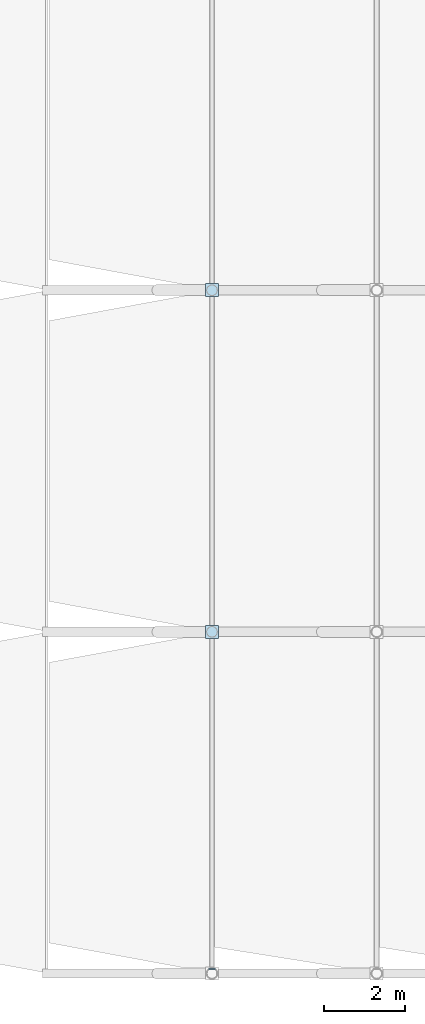
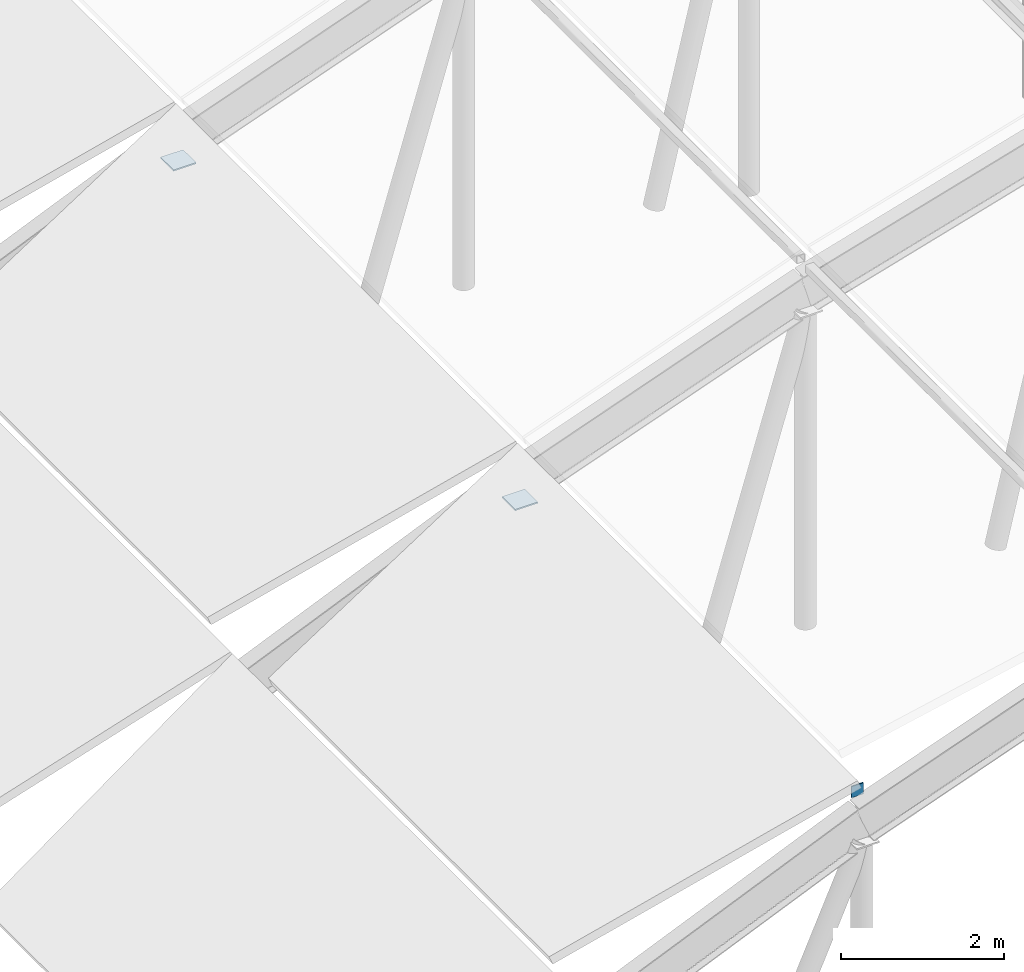
# One storey, part 14 of 22: 3 plates.
"""IFC4 building model written with IfcOpenShell, lengths in metres."""

from ifc_helpers import new_model, si_unit, direction, frame, origin, origin_2d, place, context, subcontext, project, spatial, rectangle, extrude, material, layer, layer_set, type_object, element, save


model = new_model("IFC4")

# Units and contexts
model_context = context("Model", 3, precision=1e-05, world=origin(), true_north=direction((0.0, 1.0)))
body_context = subcontext(model_context, "Body", "Model", "MODEL_VIEW")
ifc_project = project(units=[si_unit("LENGTHUNIT", "METRE"), si_unit("AREAUNIT", "SQUARE_METRE"), si_unit("VOLUMEUNIT", "CUBIC_METRE"), si_unit("PLANEANGLEUNIT", "RADIAN"), si_unit("MASSUNIT", "GRAM", prefix="KILO")], contexts=[model_context])

# Site, building, storey
site_placement = place(None, origin())
site = spatial("IfcSite", under=ifc_project, at=site_placement, CompositionType="ELEMENT")
building_placement = place(site_placement, origin())
building = spatial("IfcBuilding", under=site, at=building_placement, Name="Vireocrest Preparatory School", CompositionType="ELEMENT")
storey_placement = place(building_placement, frame((0.0, 0.0, 25.800048828125)))
storey = spatial("IfcBuildingStorey", under=building, at=storey_placement, Name="RF", CompositionType="ELEMENT", Elevation=25.800048828125)

# Plates
ifc_material = material(Name="Structural steel ASTM A572 Grade 50", Category="steel")
ifc_layer = layer(ifc_material, 0.02001953125)
ifc_layer_set = layer_set([ifc_layer], Name="Structural steel ASTM A572 Grade 50")
plate_type = type_object("IfcPlateType", Name="Hollow Section Steel End Cap Plate 20", PredefinedType="SHEET", material=ifc_layer_set)
for number, where, z_axis, x_axis, name in (
    (1, (71.699951171875, 35.39990234375, 0.64794921875), (0.0, 0.0, 1.0), (1.0, 0.0, 0.0), "Canopy Web Cap CP1-2-2T"),
    (2, (71.699951171875, 43.800048828125, 0.64794921875), (0.0, 0.0, 1.0), (1.0, 0.0, 0.0), "Canopy Web Cap CP1-3-2T"),
):
    element("IfcPlate", number, at=place(storey_placement, frame(where, z_axis=z_axis, x_axis=x_axis)), inside=storey, type_object=plate_type, Name=name, PredefinedType="SHEET", context=body_context, shape_type="SweptSolid", body=[
        extrude(rectangle(XDim=0.320068359375, YDim=0.320068359375, at=origin_2d()), origin(), (0.0, 0.0, 1.0), 0.02001953125),
    ])
plate_placement = place(storey_placement, frame((71.699951171875, 27.110107421875, 1.24853515625), z_axis=(0.0, 0.0, 1.0), x_axis=(1.0, 0.0, 0.0)))
element("IfcPlate", 3, at=plate_placement, inside=storey, type_object=plate_type, Name="Canopy Purlin Cap CP1-1-3", PredefinedType="SHEET", context=body_context, shape_type="SweptSolid", body=[
    extrude(rectangle(XDim=0.1669921875, YDim=0.02001953125, at=origin_2d()), origin(), (0.0, 0.0, 1.0), 0.1669921875),
])

save(model, "model.ifc")
